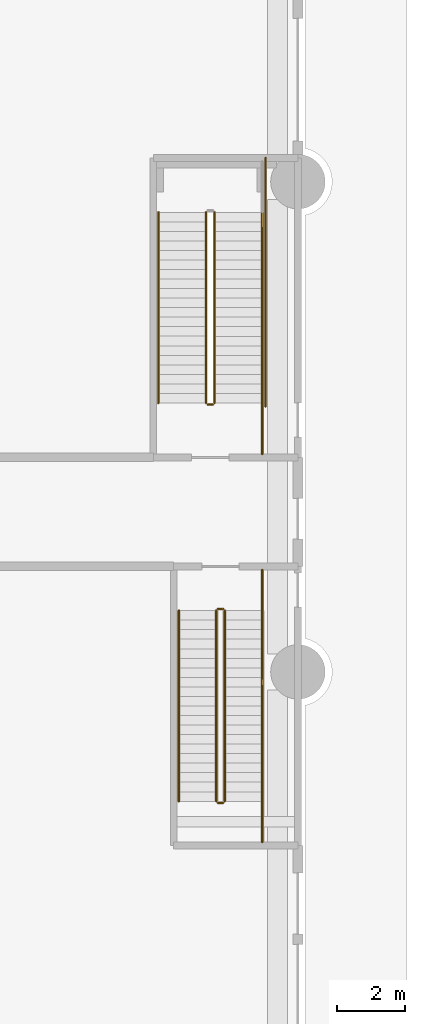
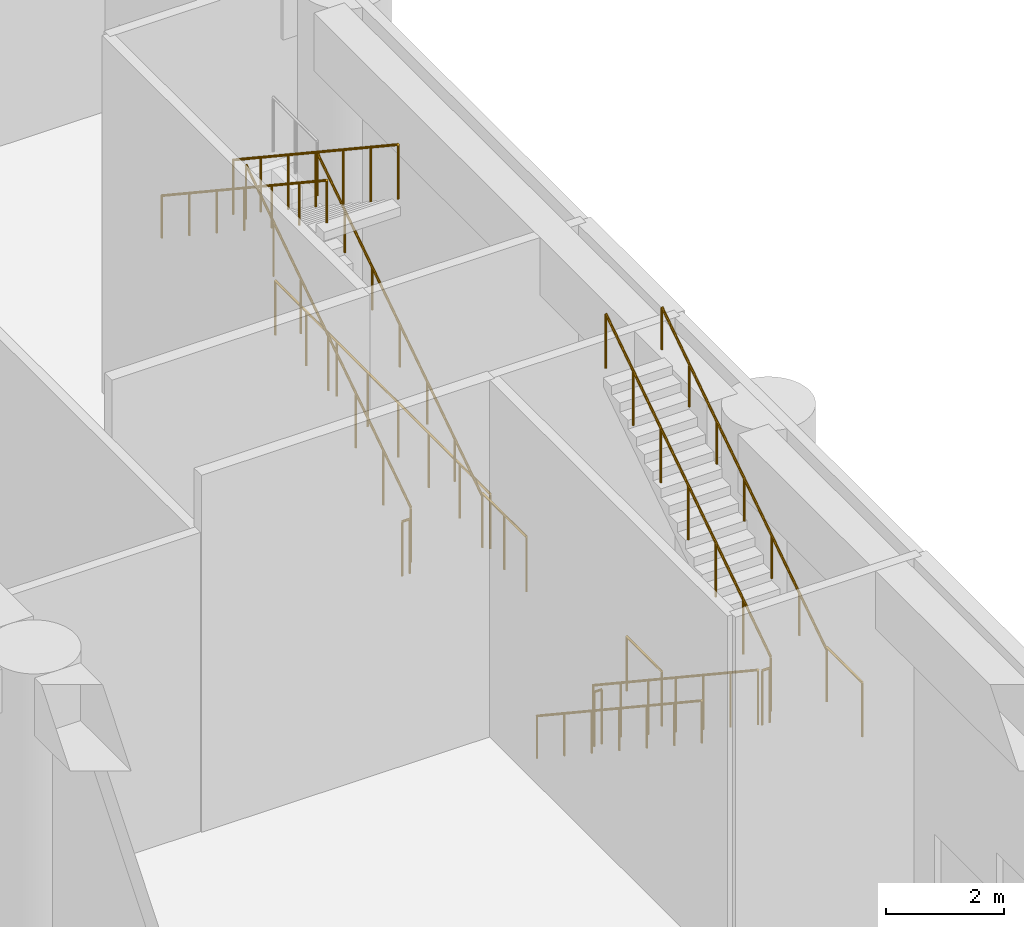
# One storey, part 28 of 32: 15 railings.
"""IFC4 building model written with IfcOpenShell, lengths in metres."""

from ifc_helpers import new_model, si_unit, direction, frame, origin, origin_2d, place, context, subcontext, project, spatial, circle, extrude, material, type_object, element, save


model = new_model("IFC4")

# Units and contexts
model_context = context("Model", 3, precision=1e-05, world=origin(), true_north=direction((0.0, 1.0)))
body_context = subcontext(model_context, "Body", "Model", "MODEL_VIEW")
ifc_project = project(units=[si_unit("LENGTHUNIT", "METRE"), si_unit("AREAUNIT", "SQUARE_METRE"), si_unit("VOLUMEUNIT", "CUBIC_METRE"), si_unit("PLANEANGLEUNIT", "RADIAN"), si_unit("MASSUNIT", "GRAM", prefix="KILO")], contexts=[model_context])

# Site, building, storey
site_placement = place(None, origin())
site = spatial("IfcSite", under=ifc_project, at=site_placement, CompositionType="ELEMENT")
building_placement = place(site_placement, origin())
building = spatial("IfcBuilding", under=site, at=building_placement, Name="Saffron Iwan Residences", CompositionType="ELEMENT")
storey_placement = place(building_placement, origin())
storey = spatial("IfcBuildingStorey", under=building, at=storey_placement, Name="L00", CompositionType="ELEMENT", Elevation=0.0)

# Railings
ifc_material = material(Name="Steel S355", Category="steel")
railing_type_1 = type_object("IfcRailingType", Name="Podium stair guard 1150", PredefinedType="GUARDRAIL", material=ifc_material)
railing_1_placement = place(storey_placement, frame((98.39990234375, 49.800048828125, 0.185791015625)))
element("IfcRailing", 1, at=railing_1_placement, inside=storey, type_object=railing_type_1, Name="L00 PS2 stair guard 1", PredefinedType="GUARDRAIL", context=body_context, shape_type="SweptSolid", body=[
    extrude(circle(Radius=0.02392578125, at=origin_2d()), frame((0.0, 0.0, 1.1259765625), z_axis=(0.0, -0.833372625111, 0.552711559238), x_axis=(1.0, 0.0, 0.0)), (0.0, 0.0, 1.0), 6.7197265625),
    extrude(circle(Radius=0.02099609375, at=origin_2d()), origin(), (0.0, 0.0, 1.0), 1.101806640625),
    extrude(circle(Radius=0.02099609375, at=origin_2d()), frame((0.0, -0.933349609375, 0.619140625)), (0.0, 0.0, 1.0), 1.101806640625),
    extrude(circle(Radius=0.02099609375, at=origin_2d()), frame((0.0, -1.86669921875, 1.238037109375)), (0.0, 0.0, 1.0), 1.101806640625),
    extrude(circle(Radius=0.02099609375, at=origin_2d()), frame((0.0, -2.800048828125, 1.85693359375)), (0.0, 0.0, 1.0), 1.101806640625),
    extrude(circle(Radius=0.02099609375, at=origin_2d()), frame((0.0, -3.7333984375, 2.47607421875)), (0.0, 0.0, 1.0), 1.101806640625),
    extrude(circle(Radius=0.02099609375, at=origin_2d()), frame((0.0, -4.666748046875, 3.09521484375)), (0.0, 0.0, 1.0), 1.101806640625),
    extrude(circle(Radius=0.02099609375, at=origin_2d()), frame((0.0, -5.60009765625, 3.714111328125)), (0.0, 0.0, 1.0), 1.101806640625),
])
railing_2_placement = place(storey_placement, frame((98.449951171875, 44.14990234375, 3.89990234375)))
element("IfcRailing", 2, at=railing_2_placement, inside=storey, type_object=railing_type_1, Name="L00 PS2 stair guard 2", PredefinedType="GUARDRAIL", context=body_context, shape_type="SweptSolid", body=[
    extrude(circle(Radius=0.02392578125, at=origin_2d()), frame((0.0, 0.0, 1.1259765625), z_axis=(1.0, 0.0, 0.0), x_axis=(0.0, 1.0, 0.0)), (0.0, 0.0, 1.0), 0.150146484375),
    extrude(circle(Radius=0.02099609375, at=origin_2d()), origin(), (0.0, 0.0, 1.0), 1.101806640625),
    extrude(circle(Radius=0.02099609375, at=origin_2d()), frame((0.150146484375, 0.0, 0.0)), (0.0, 0.0, 1.0), 1.101806640625),
])
railing_3_placement = place(storey_placement, frame((99.75, 44.199951171875, 3.89990234375)))
element("IfcRailing", 3, at=railing_3_placement, inside=storey, type_object=railing_type_1, Name="L00 PS2 stair guard 3", PredefinedType="GUARDRAIL", context=body_context, shape_type="SweptSolid", body=[
    extrude(circle(Radius=0.02392578125, at=origin_2d()), frame((0.0, 0.0, 1.1259765625), z_axis=(0.0, -1.0, 0.0), x_axis=(1.0, 0.0, 0.0)), (0.0, 0.0, 1.0), 1.199951171875),
    extrude(circle(Radius=0.02099609375, at=origin_2d()), origin(), (0.0, 0.0, 1.0), 1.101806640625),
    extrude(circle(Radius=0.02099609375, at=origin_2d()), frame((0.0, -1.199951171875, 0.0)), (0.0, 0.0, 1.0), 1.101806640625),
])
railing_4_placement = place(storey_placement, frame((98.64990234375, 44.199951171875, 4.085693359375)))
element("IfcRailing", 4, at=railing_4_placement, inside=storey, type_object=railing_type_1, Name="L00 PS2 stair guard 4", PredefinedType="GUARDRAIL", context=body_context, shape_type="SweptSolid", body=[
    extrude(circle(Radius=0.02392578125, at=origin_2d()), frame((0.0, 0.0, 1.1259765625), z_axis=(0.0, 0.833355890229, 0.552736791087), x_axis=(-1.0, 0.0, 0.0)), (0.0, 0.0, 1.0), 6.719970703125),
    extrude(circle(Radius=0.02099609375, at=origin_2d()), origin(), (0.0, 0.0, 1.0), 1.101806640625),
    extrude(circle(Radius=0.02099609375, at=origin_2d()), frame((0.0, 0.933349609375, 0.619140625)), (0.0, 0.0, 1.0), 1.101806640625),
    extrude(circle(Radius=0.02099609375, at=origin_2d()), frame((0.0, 1.86669921875, 1.238037109375)), (0.0, 0.0, 1.0), 1.101806640625),
    extrude(circle(Radius=0.02099609375, at=origin_2d()), frame((0.0, 2.800048828125, 1.857177734375)), (0.0, 0.0, 1.0), 1.101806640625),
    extrude(circle(Radius=0.02099609375, at=origin_2d()), frame((0.0, 3.7333984375, 2.476318359375)), (0.0, 0.0, 1.0), 1.101806640625),
    extrude(circle(Radius=0.02099609375, at=origin_2d()), frame((0.0, 4.666748046875, 3.09521484375)), (0.0, 0.0, 1.0), 1.101806640625),
    extrude(circle(Radius=0.02099609375, at=origin_2d()), frame((0.0, 5.60009765625, 3.71435546875)), (0.0, 0.0, 1.0), 1.101806640625),
])
railing_5_placement = place(storey_placement, frame((98.449951171875, 49.85009765625, 0.0)))
element("IfcRailing", 5, at=railing_5_placement, inside=storey, type_object=railing_type_1, Name="L00 PS2 stair guard 5", PredefinedType="GUARDRAIL", context=body_context, shape_type="SweptSolid", body=[
    extrude(circle(Radius=0.02392578125, at=origin_2d()), frame((0.0, 0.0, 1.1259765625), z_axis=(1.0, 0.0, 0.0), x_axis=(0.0, 1.0, 0.0)), (0.0, 0.0, 1.0), 0.150146484375),
    extrude(circle(Radius=0.02099609375, at=origin_2d()), origin(), (0.0, 0.0, 1.0), 1.101806640625),
    extrude(circle(Radius=0.02099609375, at=origin_2d()), frame((0.150146484375, 0.0, 0.0)), (0.0, 0.0, 1.0), 1.101806640625),
])
railing_6_placement = place(storey_placement, frame((99.75, 51.0, 0.0)))
element("IfcRailing", 6, at=railing_6_placement, inside=storey, type_object=railing_type_1, Name="L00 PS2 stair guard 6", PredefinedType="GUARDRAIL", context=body_context, shape_type="SweptSolid", body=[
    extrude(circle(Radius=0.02392578125, at=origin_2d()), frame((0.0, 0.0, 1.1259765625), z_axis=(0.0, -1.0, 0.0), x_axis=(1.0, 0.0, 0.0)), (0.0, 0.0, 1.0), 1.199951171875),
    extrude(circle(Radius=0.02099609375, at=origin_2d()), origin(), (0.0, 0.0, 1.0), 1.101806640625),
    extrude(circle(Radius=0.02099609375, at=origin_2d()), frame((0.0, -1.199951171875, 0.0)), (0.0, 0.0, 1.0), 1.101806640625),
])
railing_7_placement = place(storey_placement, frame((98.35009765625, 55.89990234375, 0.185791015625)))
element("IfcRailing", 7, at=railing_7_placement, inside=storey, type_object=railing_type_1, Name="L00 PS4 stair guard 1", PredefinedType="GUARDRAIL", context=body_context, shape_type="SweptSolid", body=[
    extrude(circle(Radius=0.02392578125, at=origin_2d()), frame((0.0, 0.0, 1.1259765625), z_axis=(0.0, 0.833372625111, 0.552711559238), x_axis=(-1.0, 0.0, 0.0)), (0.0, 0.0, 1.0), 6.7197265625),
    extrude(circle(Radius=0.02099609375, at=origin_2d()), origin(), (0.0, 0.0, 1.0), 1.101806640625),
    extrude(circle(Radius=0.02099609375, at=origin_2d()), frame((0.0, 0.933349609375, 0.619140625)), (0.0, 0.0, 1.0), 1.101806640625),
    extrude(circle(Radius=0.02099609375, at=origin_2d()), frame((0.0, 1.86669921875, 1.238037109375)), (0.0, 0.0, 1.0), 1.101806640625),
    extrude(circle(Radius=0.02099609375, at=origin_2d()), frame((0.0, 2.800048828125, 1.85693359375)), (0.0, 0.0, 1.0), 1.101806640625),
    extrude(circle(Radius=0.02099609375, at=origin_2d()), frame((0.0, 3.7333984375, 2.47607421875)), (0.0, 0.0, 1.0), 1.101806640625),
    extrude(circle(Radius=0.02099609375, at=origin_2d()), frame((0.0, 4.666748046875, 3.09521484375)), (0.0, 0.0, 1.0), 1.101806640625),
    extrude(circle(Radius=0.02099609375, at=origin_2d()), frame((0.0, 5.60009765625, 3.714111328125)), (0.0, 0.0, 1.0), 1.101806640625),
])
railing_8_placement = place(storey_placement, frame((98.10009765625, 61.5, 4.085693359375)))
element("IfcRailing", 8, at=railing_8_placement, inside=storey, type_object=railing_type_1, Name="L00 PS4 stair guard 4", PredefinedType="GUARDRAIL", context=body_context, shape_type="SweptSolid", body=[
    extrude(circle(Radius=0.02392578125, at=origin_2d()), frame((0.0, 0.0, 1.1259765625), z_axis=(0.0, -0.833355890229, 0.552736791087), x_axis=(1.0, 0.0, 0.0)), (0.0, 0.0, 1.0), 6.719970703125),
    extrude(circle(Radius=0.02099609375, at=origin_2d()), origin(), (0.0, 0.0, 1.0), 1.101806640625),
    extrude(circle(Radius=0.02099609375, at=origin_2d()), frame((0.0, -0.933349609375, 0.619140625)), (0.0, 0.0, 1.0), 1.101806640625),
    extrude(circle(Radius=0.02099609375, at=origin_2d()), frame((0.0, -1.86669921875, 1.238037109375)), (0.0, 0.0, 1.0), 1.101806640625),
    extrude(circle(Radius=0.02099609375, at=origin_2d()), frame((0.0, -2.800048828125, 1.857177734375)), (0.0, 0.0, 1.0), 1.101806640625),
    extrude(circle(Radius=0.02099609375, at=origin_2d()), frame((0.0, -3.7333984375, 2.476318359375)), (0.0, 0.0, 1.0), 1.101806640625),
    extrude(circle(Radius=0.02099609375, at=origin_2d()), frame((0.0, -4.666748046875, 3.09521484375)), (0.0, 0.0, 1.0), 1.101806640625),
    extrude(circle(Radius=0.02099609375, at=origin_2d()), frame((0.0, -5.60009765625, 3.71435546875)), (0.0, 0.0, 1.0), 1.101806640625),
])
railing_9_placement = place(storey_placement, frame((98.300048828125, 55.85009765625, 0.0)))
element("IfcRailing", 9, at=railing_9_placement, inside=storey, type_object=railing_type_1, Name="L00 PS4 stair guard 5", PredefinedType="GUARDRAIL", context=body_context, shape_type="SweptSolid", body=[
    extrude(circle(Radius=0.02392578125, at=origin_2d()), frame((0.0, 0.0, 1.1259765625), z_axis=(-1.0, 0.0, 0.0), x_axis=(0.0, -1.0, 0.0)), (0.0, 0.0, 1.0), 0.150146484375),
    extrude(circle(Radius=0.02099609375, at=origin_2d()), origin(), (0.0, 0.0, 1.0), 1.101806640625),
    extrude(circle(Radius=0.02099609375, at=origin_2d()), frame((-0.150146484375, 0.0, 0.0)), (0.0, 0.0, 1.0), 1.101806640625),
])
railing_10_placement = place(storey_placement, frame((99.75, 54.39990234375, 0.0)))
element("IfcRailing", 10, at=railing_10_placement, inside=storey, type_object=railing_type_1, Name="L00 PS4 stair guard 6", PredefinedType="GUARDRAIL", context=body_context, shape_type="SweptSolid", body=[
    extrude(circle(Radius=0.02392578125, at=origin_2d()), frame((0.0, 0.0, 1.1259765625), z_axis=(0.0, 1.0, 0.0), x_axis=(-1.0, 0.0, 0.0)), (0.0, 0.0, 1.0), 1.5),
    extrude(circle(Radius=0.02099609375, at=origin_2d()), origin(), (0.0, 0.0, 1.0), 1.101806640625),
    extrude(circle(Radius=0.02099609375, at=origin_2d()), frame((0.0, 0.75, 0.0)), (0.0, 0.0, 1.0), 1.101806640625),
    extrude(circle(Radius=0.02099609375, at=origin_2d()), frame((0.0, 1.5, 0.0)), (0.0, 0.0, 1.0), 1.101806640625),
])
railing_11_placement = place(storey_placement, frame((99.85009765625, 55.800048828125, 0.0)))
element("IfcRailing", 11, at=railing_11_placement, inside=storey, type_object=railing_type_1, Name="L00 PS4 stair guard 7", PredefinedType="GUARDRAIL", context=body_context, shape_type="SweptSolid", body=[
    extrude(circle(Radius=0.02392578125, at=origin_2d()), frame((0.0, 0.0, 1.1259765625), z_axis=(0.0, 1.0, 0.0), x_axis=(-1.0, 0.0, 0.0)), (0.0, 0.0, 1.0), 7.300048828125),
    extrude(circle(Radius=0.02099609375, at=origin_2d()), origin(), (0.0, 0.0, 1.0), 1.101806640625),
    extrude(circle(Radius=0.02099609375, at=origin_2d()), frame((0.0, 1.04296875, 0.0)), (0.0, 0.0, 1.0), 1.101806640625),
    extrude(circle(Radius=0.02099609375, at=origin_2d()), frame((0.0, 2.085693359375, 0.0)), (0.0, 0.0, 1.0), 1.101806640625),
    extrude(circle(Radius=0.02099609375, at=origin_2d()), frame((0.0, 3.128662109375, 0.0)), (0.0, 0.0, 1.0), 1.101806640625),
    extrude(circle(Radius=0.02099609375, at=origin_2d()), frame((0.0, 4.17138671875, 0.0)), (0.0, 0.0, 1.0), 1.101806640625),
    extrude(circle(Radius=0.02099609375, at=origin_2d()), frame((0.0, 5.21435546875, 0.0)), (0.0, 0.0, 1.0), 1.101806640625),
    extrude(circle(Radius=0.02099609375, at=origin_2d()), frame((0.0, 6.257080078125, 0.0)), (0.0, 0.0, 1.0), 1.101806640625),
    extrude(circle(Radius=0.02099609375, at=origin_2d()), frame((0.0, 7.300048828125, 0.0)), (0.0, 0.0, 1.0), 1.101806640625),
])
railing_type_2 = type_object("IfcRailingType", Name="Podium stair handrail 900", PredefinedType="HANDRAIL", material=ifc_material)
railing_12_placement = place(storey_placement, frame((97.300048828125, 49.800048828125, 0.185791015625)))
element("IfcRailing", 12, at=railing_12_placement, inside=storey, type_object=railing_type_2, Name="L00 PS2 stair handrail 1", PredefinedType="HANDRAIL", context=body_context, shape_type="SweptSolid", body=[
    extrude(circle(Radius=0.02392578125, at=origin_2d()), frame((0.0, 0.0, 0.8759765625), z_axis=(0.0, -0.833372625111, 0.552711559238), x_axis=(1.0, 0.0, 0.0)), (0.0, 0.0, 1.0), 6.7197265625),
    extrude(circle(Radius=0.02099609375, at=origin_2d()), origin(), (0.0, 0.0, 1.0), 0.851806640625),
    extrude(circle(Radius=0.02099609375, at=origin_2d()), frame((0.0, -0.933349609375, 0.619140625)), (0.0, 0.0, 1.0), 0.851806640625),
    extrude(circle(Radius=0.02099609375, at=origin_2d()), frame((0.0, -1.86669921875, 1.238037109375)), (0.0, 0.0, 1.0), 0.851806640625),
    extrude(circle(Radius=0.02099609375, at=origin_2d()), frame((0.0, -2.800048828125, 1.85693359375)), (0.0, 0.0, 1.0), 0.851806640625),
    extrude(circle(Radius=0.02099609375, at=origin_2d()), frame((0.0, -3.7333984375, 2.47607421875)), (0.0, 0.0, 1.0), 0.851806640625),
    extrude(circle(Radius=0.02099609375, at=origin_2d()), frame((0.0, -4.666748046875, 3.09521484375)), (0.0, 0.0, 1.0), 0.851806640625),
    extrude(circle(Radius=0.02099609375, at=origin_2d()), frame((0.0, -5.60009765625, 3.714111328125)), (0.0, 0.0, 1.0), 0.851806640625),
])
railing_13_placement = place(storey_placement, frame((99.75, 44.199951171875, 4.085693359375)))
element("IfcRailing", 13, at=railing_13_placement, inside=storey, type_object=railing_type_2, Name="L00 PS2 stair handrail 2", PredefinedType="HANDRAIL", context=body_context, shape_type="SweptSolid", body=[
    extrude(circle(Radius=0.02392578125, at=origin_2d()), frame((0.0, 0.0, 0.8759765625), z_axis=(0.0, 0.833355890229, 0.552736791087), x_axis=(-1.0, 0.0, 0.0)), (0.0, 0.0, 1.0), 6.719970703125),
    extrude(circle(Radius=0.02099609375, at=origin_2d()), origin(), (0.0, 0.0, 1.0), 0.851806640625),
    extrude(circle(Radius=0.02099609375, at=origin_2d()), frame((0.0, 0.933349609375, 0.619140625)), (0.0, 0.0, 1.0), 0.851806640625),
    extrude(circle(Radius=0.02099609375, at=origin_2d()), frame((0.0, 1.86669921875, 1.238037109375)), (0.0, 0.0, 1.0), 0.851806640625),
    extrude(circle(Radius=0.02099609375, at=origin_2d()), frame((0.0, 2.800048828125, 1.857177734375)), (0.0, 0.0, 1.0), 0.851806640625),
    extrude(circle(Radius=0.02099609375, at=origin_2d()), frame((0.0, 3.7333984375, 2.476318359375)), (0.0, 0.0, 1.0), 0.851806640625),
    extrude(circle(Radius=0.02099609375, at=origin_2d()), frame((0.0, 4.666748046875, 3.09521484375)), (0.0, 0.0, 1.0), 0.851806640625),
    extrude(circle(Radius=0.02099609375, at=origin_2d()), frame((0.0, 5.60009765625, 3.71435546875)), (0.0, 0.0, 1.0), 0.851806640625),
])
railing_14_placement = place(storey_placement, frame((99.75, 55.89990234375, 0.185791015625)))
element("IfcRailing", 14, at=railing_14_placement, inside=storey, type_object=railing_type_2, Name="L00 PS4 stair handrail 1", PredefinedType="HANDRAIL", context=body_context, shape_type="SweptSolid", body=[
    extrude(circle(Radius=0.02392578125, at=origin_2d()), frame((0.0, 0.0, 0.8759765625), z_axis=(0.0, 0.833372625111, 0.552711559238), x_axis=(-1.0, 0.0, 0.0)), (0.0, 0.0, 1.0), 6.7197265625),
    extrude(circle(Radius=0.02099609375, at=origin_2d()), origin(), (0.0, 0.0, 1.0), 0.851806640625),
    extrude(circle(Radius=0.02099609375, at=origin_2d()), frame((0.0, 0.933349609375, 0.619140625)), (0.0, 0.0, 1.0), 0.851806640625),
    extrude(circle(Radius=0.02099609375, at=origin_2d()), frame((0.0, 1.86669921875, 1.238037109375)), (0.0, 0.0, 1.0), 0.851806640625),
    extrude(circle(Radius=0.02099609375, at=origin_2d()), frame((0.0, 2.800048828125, 1.85693359375)), (0.0, 0.0, 1.0), 0.851806640625),
    extrude(circle(Radius=0.02099609375, at=origin_2d()), frame((0.0, 3.7333984375, 2.47607421875)), (0.0, 0.0, 1.0), 0.851806640625),
    extrude(circle(Radius=0.02099609375, at=origin_2d()), frame((0.0, 4.666748046875, 3.09521484375)), (0.0, 0.0, 1.0), 0.851806640625),
    extrude(circle(Radius=0.02099609375, at=origin_2d()), frame((0.0, 5.60009765625, 3.714111328125)), (0.0, 0.0, 1.0), 0.851806640625),
])
railing_15_placement = place(storey_placement, frame((96.699951171875, 61.5, 4.085693359375)))
element("IfcRailing", 15, at=railing_15_placement, inside=storey, type_object=railing_type_2, Name="L00 PS4 stair handrail 2", PredefinedType="HANDRAIL", context=body_context, shape_type="SweptSolid", body=[
    extrude(circle(Radius=0.02392578125, at=origin_2d()), frame((0.0, 0.0, 0.8759765625), z_axis=(0.0, -0.833355890229, 0.552736791087), x_axis=(1.0, 0.0, 0.0)), (0.0, 0.0, 1.0), 6.719970703125),
    extrude(circle(Radius=0.02099609375, at=origin_2d()), origin(), (0.0, 0.0, 1.0), 0.851806640625),
    extrude(circle(Radius=0.02099609375, at=origin_2d()), frame((0.0, -0.933349609375, 0.619140625)), (0.0, 0.0, 1.0), 0.851806640625),
    extrude(circle(Radius=0.02099609375, at=origin_2d()), frame((0.0, -1.86669921875, 1.238037109375)), (0.0, 0.0, 1.0), 0.851806640625),
    extrude(circle(Radius=0.02099609375, at=origin_2d()), frame((0.0, -2.800048828125, 1.857177734375)), (0.0, 0.0, 1.0), 0.851806640625),
    extrude(circle(Radius=0.02099609375, at=origin_2d()), frame((0.0, -3.7333984375, 2.476318359375)), (0.0, 0.0, 1.0), 0.851806640625),
    extrude(circle(Radius=0.02099609375, at=origin_2d()), frame((0.0, -4.666748046875, 3.09521484375)), (0.0, 0.0, 1.0), 0.851806640625),
    extrude(circle(Radius=0.02099609375, at=origin_2d()), frame((0.0, -5.60009765625, 3.71435546875)), (0.0, 0.0, 1.0), 0.851806640625),
])

save(model, "model.ifc")
